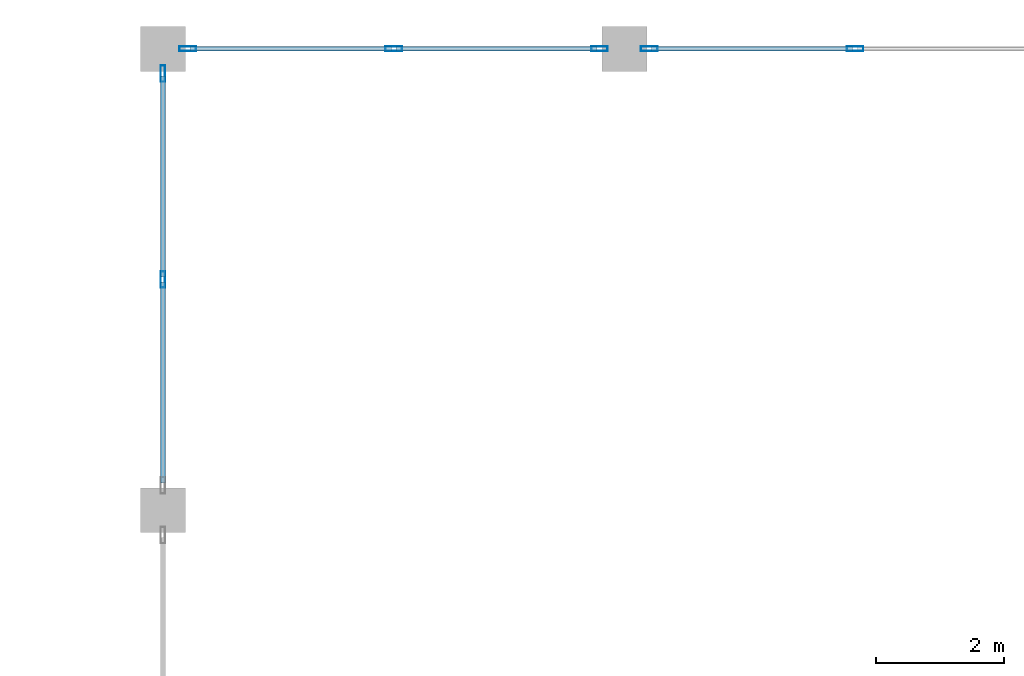
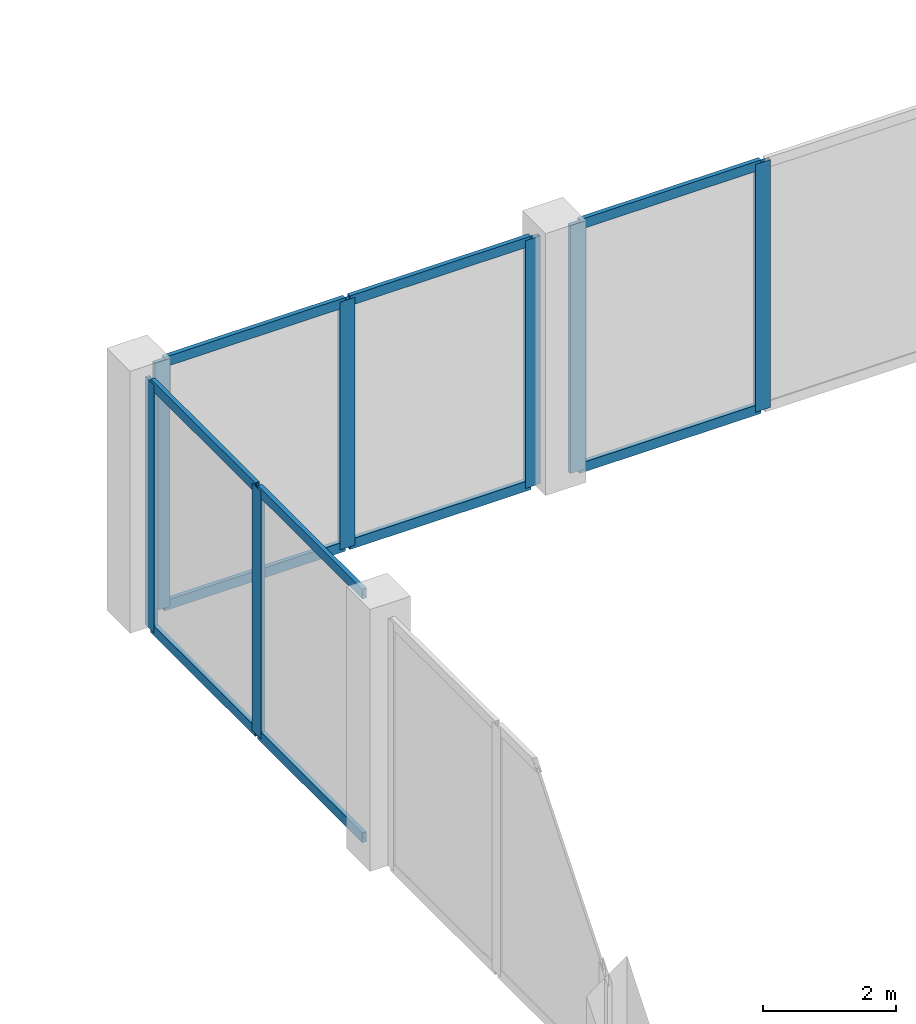
# One storey, part 40 of 99: 17 members, 3 elements without a shape of their own.
"""IFC4 building model written with IfcOpenShell, lengths in metres."""

import ifcopenshell
import ifcopenshell.guid

model = None  # the IFC model being written
_history = None  # IfcOwnerHistory: only IFC2X3 demands one
_inside = {}  # id of a spatial element -> (the spatial element, [elements in it])
_under = {}  # id of a project, library or spatial element -> (it, [spatial elements below it])
_declared = {}  # id of a project -> (the project, [libraries it declares])
_typed = {}  # id of a type object -> (the type object, [elements of that type])
_made_of = {}  # id of a material, layer set ... -> (it, [elements and type objects made of it])


def new_model(schema):
    """Start an empty IFC model of exactly this schema.

    Asked for "IFC4X3", IfcOpenShell would pick the latest addendum, in which some entities
    have other attributes; the version numbers below select the first issue.
    IFC2X3 requires an IfcOwnerHistory on every rooted entity: one is made here for all.
    """
    global model, _history
    if schema == "IFC4X3":
        model = ifcopenshell.file(schema_version=(4, 3, 0, 0))
    else:
        model = ifcopenshell.file(schema=schema)
    _inside.clear()
    _under.clear()
    _declared.clear()
    _typed.clear()
    _made_of.clear()
    _history = None
    if model.schema == "IFC2X3":
        org = make("IfcOrganization", Name="unknown")
        user = make(
            "IfcPersonAndOrganization",
            ThePerson=make("IfcPerson", FamilyName="unknown"),
            TheOrganization=org,
        )
        app = make(
            "IfcApplication",
            ApplicationDeveloper=org,
            Version="unknown",
            ApplicationFullName="unknown",
            ApplicationIdentifier="unknown",
        )
        _history = make(
            "IfcOwnerHistory",
            OwningUser=user,
            OwningApplication=app,
            ChangeAction="ADDED",
            CreationDate=0,
        )
    return model


def make(cls, **values):
    """One entity of the class cls with the attributes given. An attribute that is None is left unset."""
    return model.create_entity(
        cls, **{name: value for name, value in values.items() if value is not None}
    )


def rooted(cls, **values):
    """An entity with a GlobalId (a new one), such as an element, a storey or a relation."""
    return make(cls, GlobalId=ifcopenshell.guid.new(), OwnerHistory=_history, **values)


def si_unit(unit_type, name, prefix=None):
    """IfcSIUnit, for example si_unit("LENGTHUNIT", "METRE", prefix="MILLI")."""
    return make("IfcSIUnit", UnitType=unit_type, Prefix=prefix, Name=name)


def assignment(units):
    """IfcUnitAssignment: the units of a project."""
    return None if units is None else make("IfcUnitAssignment", Units=units)


def point(xyz):
    """IfcCartesianPoint."""
    return None if xyz is None else make("IfcCartesianPoint", Coordinates=xyz)


def direction(xyz):
    """IfcDirection."""
    return None if xyz is None else make("IfcDirection", DirectionRatios=xyz)


def frame(location, z_axis=None, x_axis=None):
    """IfcAxis2Placement3D, a coordinate frame: its origin and axes. An axis left out is left unset."""
    return make(
        "IfcAxis2Placement3D",
        Location=point(location),
        Axis=direction(z_axis),
        RefDirection=direction(x_axis),
    )


def frame_2d(location, x_axis=None):
    """IfcAxis2Placement2D, a coordinate frame in the plane: its origin and x axis."""
    return make(
        "IfcAxis2Placement2D", Location=point(location), RefDirection=direction(x_axis)
    )


def origin():
    """The frame at (0, 0, 0) with its axes left unset."""
    return frame((0.0, 0.0, 0.0))


def origin_2d():
    """The frame at (0, 0) in the plane with its x axis left unset."""
    return frame_2d((0.0, 0.0))


def place(relative_to, where):
    """IfcLocalPlacement: puts the frame where relative to a parent placement (None: the world)."""
    return make(
        "IfcLocalPlacement", PlacementRelTo=relative_to, RelativePlacement=where
    )


def context(
    kind, dimensions, precision=None, world=None, true_north=None, identifier=None
):
    """IfcGeometricRepresentationContext, for example the 3D "Model" context."""
    return make(
        "IfcGeometricRepresentationContext",
        ContextIdentifier=identifier,
        ContextType=kind,
        CoordinateSpaceDimension=dimensions,
        Precision=precision,
        WorldCoordinateSystem=world,
        TrueNorth=true_north,
    )


def subcontext(parent, identifier, kind, view, scale=None):
    """IfcGeometricRepresentationSubContext, for example "Body" below "Model"."""
    return make(
        "IfcGeometricRepresentationSubContext",
        ContextIdentifier=identifier,
        ContextType=kind,
        ParentContext=parent,
        TargetScale=scale,
        TargetView=view,
    )


def project(units=None, contexts=None):
    """IfcProject with its units and contexts."""
    return rooted(
        "IfcProject",
        Name="project",
        RepresentationContexts=contexts,
        UnitsInContext=assignment(units),
    )


def spatial(cls, under=None, at=None, **own):
    """A site, building, storey or space (cls), placed at a placement, below another one or the project."""
    s = rooted(cls, ObjectPlacement=at, **own)
    if under is not None:
        _under.setdefault(under.id(), (under, []))[1].append(s)
    return s


def profile(cls, at=None, kind="AREA", **sizes):
    """A parametric profile (cls). Its sizes go by their IFC names, for example OverallWidth=200.0."""
    return make(cls, ProfileType=kind, Position=at, **sizes)


def hollow_rectangle(**sizes):
    """IfcRectangleHollowProfileDef."""
    return profile("IfcRectangleHollowProfileDef", **sizes)


def extrude(swept, where, along, depth):
    """IfcExtrudedAreaSolid: the profile swept, set in the frame where, extruded along a direction by depth."""
    return make(
        "IfcExtrudedAreaSolid",
        SweptArea=swept,
        Position=where,
        ExtrudedDirection=direction(along),
        Depth=depth,
    )


def shape(context_of_items, identifier, shape_type, items):
    """IfcShapeRepresentation: the items that make up one representation, for example the "Body"."""
    return make(
        "IfcShapeRepresentation",
        ContextOfItems=context_of_items,
        RepresentationIdentifier=identifier,
        RepresentationType=shape_type,
        Items=items,
    )


def material(Name=None, Category=None):
    """IfcMaterial."""
    return make("IfcMaterial", Name=Name, Category=Category)


def material_profile(
    of_material, cross_section, Name=None, Category=None, Priority=None
):
    """IfcMaterialProfile: a cross section and its material."""
    return make(
        "IfcMaterialProfile",
        Name=Name,
        Material=of_material,
        Profile=cross_section,
        Priority=Priority,
        Category=Category,
    )


def profile_set(profiles, Name=None, composite=None):
    """IfcMaterialProfileSet."""
    return make(
        "IfcMaterialProfileSet",
        Name=Name,
        MaterialProfiles=profiles,
        CompositeProfile=composite,
    )


def made_of(thing, what):
    """Note that an element or type object is made of a material, layer set ...; save() writes the relation."""
    if what is not None:
        _made_of.setdefault(what.id(), (what, []))[1].append(thing)
    return thing


def type_object(cls, material=None, **own):
    """A type object (cls), such as IfcWallType, which elements share."""
    return made_of(rooted(cls, **own), material)


def element(
    cls,
    number,
    at=None,
    inside=None,
    cuts=None,
    type_object=None,
    material=None,
    context=None,
    identifier="Body",
    shape_type=None,
    held_by="IfcProductDefinitionShape",
    body=None,
    shapes=None,
    **own,
):
    """One element of the class cls, such as IfcWall. Its Tag is "e" and its number.

    at: its placement. inside: the storey or other place that contains it. cuts: it is an
    opening in that element (IfcRelVoidsElement). A single representation is given by context,
    identifier, shape_type and body (its items); several are given by shapes. held_by: the class
    of the entity that holds the representations. save() writes the other relations.
    """
    e = rooted(cls, Tag="e%d" % number, ObjectPlacement=at, **own)
    if body is not None:
        shapes = [shape(context, identifier, shape_type, body)]
    if shapes is not None:
        e.Representation = make(held_by, Representations=shapes)
    if inside is not None:
        _inside.setdefault(inside.id(), (inside, []))[1].append(e)
    if cuts is not None:
        rooted(
            "IfcRelVoidsElement", RelatingBuildingElement=cuts, RelatedOpeningElement=e
        )
    if type_object is not None:
        _typed.setdefault(type_object.id(), (type_object, []))[1].append(e)
    return made_of(e, material)


def aggregate(whole, parts):
    """IfcRelAggregates: a whole, such as a stair, and the parts it consists of."""
    return rooted("IfcRelAggregates", RelatingObject=whole, RelatedObjects=parts)


def save(model, path):
    """Write the relations noted so far, then the file.

    IfcRelAggregates (storeys below a building ...), IfcRelContainedInSpatialStructure (elements
    in a storey), IfcRelDefinesByType, IfcRelAssociatesMaterial and IfcRelDeclares: one each for
    every whole, place, type object, material and project.
    """
    for whole, parts in _under.values():
        aggregate(whole, parts)
    for where, things in _inside.values():
        rooted(
            "IfcRelContainedInSpatialStructure",
            RelatedElements=things,
            RelatingStructure=where,
        )
    for kind, things in _typed.values():
        rooted("IfcRelDefinesByType", RelatedObjects=things, RelatingType=kind)
    for what, things in _made_of.values():
        rooted("IfcRelAssociatesMaterial", RelatedObjects=things, RelatingMaterial=what)
    for by, libraries in _declared.values():
        rooted("IfcRelDeclares", RelatingContext=by, RelatedDefinitions=libraries)
    model.write(path)


model = new_model("IFC4")

# Units and contexts
model_context = context("Model", 3, precision=1e-05, world=origin(), true_north=direction((0.0, 1.0)))
body_context = subcontext(model_context, "Body", "Model", "MODEL_VIEW")
ifc_project = project(units=[si_unit("LENGTHUNIT", "METRE"), si_unit("AREAUNIT", "SQUARE_METRE"), si_unit("VOLUMEUNIT", "CUBIC_METRE"), si_unit("PLANEANGLEUNIT", "RADIAN"), si_unit("MASSUNIT", "GRAM", prefix="KILO")], contexts=[model_context])

# Site, building, storey
site_placement = place(None, origin())
site = spatial("IfcSite", under=ifc_project, at=site_placement, CompositionType="ELEMENT")
building_placement = place(site_placement, origin())
building = spatial("IfcBuilding", under=site, at=building_placement, Name="Vesperath Aquatics Centre", CompositionType="ELEMENT")
storey_placement = place(building_placement, frame((0.0, 0.0, 5.39990234375)))
storey = spatial("IfcBuildingStorey", under=building, at=storey_placement, Name="L01", CompositionType="ELEMENT", Elevation=5.39990234375)

# Curtain wall, members
ifc_material_1 = material(Name="Thermally broken anodised bronze aluminium curtain wall", Category="aluminium")
curtain_wall_type = type_object("IfcCurtainWallType", Name="CW-06", PredefinedType="NOTDEFINED", material=ifc_material_1)
curtain_wall_1_placement = place(storey_placement, origin())
curtain_wall_1 = element("IfcCurtainWall", 1, at=curtain_wall_1_placement, inside=storey, type_object=curtain_wall_type, Name="Facade Curtain Wall CW06 L01_N_16_16", PredefinedType="NOTDEFINED")
ifc_material_2 = material(Name="Thermally broken anodised aluminium", Category="aluminium")
ifc_material_profile_1 = material_profile(ifc_material_2, hollow_rectangle(XDim=0.074951171875, YDim=0.260009765625, WallThickness=0.006103515625, at=origin_2d()), Name="CWM 75x260x6")
ifc_profile_set_1 = profile_set([ifc_material_profile_1], Name="Thermally broken anodised aluminium")
member_type_1 = type_object("IfcMemberType", Name="MB-CWM1", PredefinedType="MULLION", material=ifc_profile_set_1)
member_1_placement = place(storey_placement, frame((115.58740234375, 115.199951171875, 0.0), z_axis=(0.0, 0.0, 1.0), x_axis=(0.0, 1.0, 0.0)))
member_1 = element("IfcMember", 2, at=member_1_placement, type_object=member_type_1, Name="CW06 mullion 1", PredefinedType="MULLION", context=body_context, shape_type="SweptSolid", body=[
    extrude(hollow_rectangle(XDim=0.074951171875, YDim=0.260009765625, WallThickness=0.006103515625, at=origin_2d()), origin(), (0.0, 0.0, 1.0), 4.5400390625),
])
member_2_placement = place(storey_placement, frame((118.800048828125, 115.199951171875, 0.0), z_axis=(0.0, 0.0, 1.0), x_axis=(0.0, 1.0, 0.0)))
member_2 = element("IfcMember", 3, at=member_2_placement, type_object=member_type_1, Name="CW06 mullion 2", PredefinedType="MULLION", context=body_context, shape_type="SweptSolid", body=[
    extrude(hollow_rectangle(XDim=0.074951171875, YDim=0.260009765625, WallThickness=0.006103515625, at=origin_2d()), origin(), (0.0, 0.0, 1.0), 4.5400390625),
])
member_3_placement = place(storey_placement, frame((122.012451171875, 115.199951171875, 0.0), z_axis=(0.0, 0.0, 1.0), x_axis=(0.0, 1.0, 0.0)))
member_3 = element("IfcMember", 4, at=member_3_placement, type_object=member_type_1, Name="CW06 mullion 3", PredefinedType="MULLION", context=body_context, shape_type="SweptSolid", body=[
    extrude(hollow_rectangle(XDim=0.074951171875, YDim=0.260009765625, WallThickness=0.006103515625, at=origin_2d()), origin(), (0.0, 0.0, 1.0), 4.5400390625),
])

curtain_wall_2_placement = place(storey_placement, origin())
curtain_wall_2 = element("IfcCurtainWall", 5, at=curtain_wall_2_placement, inside=storey, type_object=curtain_wall_type, Name="Facade Curtain Wall CW06 L01_N_17_16", PredefinedType="NOTDEFINED")
member_4_placement = place(storey_placement, frame((122.78759765625, 115.199951171875, 0.0), z_axis=(0.0, 0.0, 1.0), x_axis=(0.0, 1.0, 0.0)))
member_4 = element("IfcMember", 6, at=member_4_placement, type_object=member_type_1, Name="CW06 mullion 1", PredefinedType="MULLION", context=body_context, shape_type="SweptSolid", body=[
    extrude(hollow_rectangle(XDim=0.074951171875, YDim=0.260009765625, WallThickness=0.006103515625, at=origin_2d()), origin(), (0.0, 0.0, 1.0), 4.5400390625),
])
member_5_placement = place(storey_placement, frame((126.0, 115.199951171875, 0.0), z_axis=(0.0, 0.0, 1.0), x_axis=(0.0, 1.0, 0.0)))
member_5 = element("IfcMember", 7, at=member_5_placement, type_object=member_type_1, Name="CW06 mullion 2", PredefinedType="MULLION", context=body_context, shape_type="SweptSolid", body=[
    extrude(hollow_rectangle(XDim=0.074951171875, YDim=0.260009765625, WallThickness=0.006103515625, at=origin_2d()), origin(), (0.0, 0.0, 1.0), 4.5400390625),
])

curtain_wall_3_placement = place(storey_placement, origin())
curtain_wall_3 = element("IfcCurtainWall", 8, at=curtain_wall_3_placement, inside=storey, type_object=curtain_wall_type, Name="Facade Curtain Wall CW06 L01_W_16_15", PredefinedType="NOTDEFINED")
member_6_placement = place(storey_placement, frame((115.199951171875, 111.60009765625, 0.0), z_axis=(0.0, 0.0, 1.0), x_axis=(-1.0, 0.0, 0.0)))
member_6 = element("IfcMember", 9, at=member_6_placement, type_object=member_type_1, Name="CW06 mullion 2", PredefinedType="MULLION", context=body_context, shape_type="SweptSolid", body=[
    extrude(hollow_rectangle(XDim=0.074951171875, YDim=0.260009765625, WallThickness=0.006103515625, at=origin_2d()), origin(), (0.0, 0.0, 1.0), 4.5400390625),
])
member_7_placement = place(storey_placement, frame((115.199951171875, 114.8125, 0.0), z_axis=(0.0, 0.0, 1.0), x_axis=(-1.0, 0.0, 0.0)))
member_7 = element("IfcMember", 10, at=member_7_placement, type_object=member_type_1, Name="CW06 mullion 3", PredefinedType="MULLION", context=body_context, shape_type="SweptSolid", body=[
    extrude(hollow_rectangle(XDim=0.074951171875, YDim=0.260009765625, WallThickness=0.006103515625, at=origin_2d()), origin(), (0.0, 0.0, 1.0), 4.5400390625),
])

# Member
ifc_material_profile_2 = material_profile(ifc_material_2, hollow_rectangle(XDim=0.074951171875, YDim=0.179931640625, WallThickness=0.0048828125, at=origin_2d()), Name="CWT 75x180x5")
ifc_profile_set_2 = profile_set([ifc_material_profile_2], Name="Thermally broken anodised aluminium")
member_type_2 = type_object("IfcMemberType", Name="MB-CWT1", PredefinedType="USERDEFINED", material=ifc_profile_set_2)
member_8_placement = place(storey_placement, frame((115.625, 115.199951171875, 0.03759765625), z_axis=(1.0, 0.0, 0.0), x_axis=(0.0, 1.0, 0.0)))
member_8 = element("IfcMember", 11, at=member_8_placement, type_object=member_type_2, Name="CW06 transom 1.1", ObjectType="TRANSOM", PredefinedType="USERDEFINED", context=body_context, shape_type="SweptSolid", body=[
    extrude(hollow_rectangle(XDim=0.074951171875, YDim=0.179931640625, WallThickness=0.0048828125, at=origin_2d()), origin(), (0.0, 0.0, 1.0), 3.137451171875),
])

member_9_placement = place(storey_placement, frame((115.625, 115.199951171875, 4.502685546875), z_axis=(1.0, 0.0, 0.0), x_axis=(0.0, 1.0, 0.0)))
member_9 = element("IfcMember", 12, at=member_9_placement, type_object=member_type_2, Name="CW06 transom 1.2", ObjectType="TRANSOM", PredefinedType="USERDEFINED", context=body_context, shape_type="SweptSolid", body=[
    extrude(hollow_rectangle(XDim=0.074951171875, YDim=0.179931640625, WallThickness=0.0048828125, at=origin_2d()), origin(), (0.0, 0.0, 1.0), 3.137451171875),
])

member_10_placement = place(storey_placement, frame((118.83740234375, 115.199951171875, 0.03759765625), z_axis=(1.0, 0.0, 0.0), x_axis=(0.0, 1.0, 0.0)))
member_10 = element("IfcMember", 13, at=member_10_placement, type_object=member_type_2, Name="CW06 transom 2.1", ObjectType="TRANSOM", PredefinedType="USERDEFINED", context=body_context, shape_type="SweptSolid", body=[
    extrude(hollow_rectangle(XDim=0.074951171875, YDim=0.179931640625, WallThickness=0.0048828125, at=origin_2d()), origin(), (0.0, 0.0, 1.0), 3.1376953125),
])

member_11_placement = place(storey_placement, frame((118.83740234375, 115.199951171875, 4.502685546875), z_axis=(1.0, 0.0, 0.0), x_axis=(0.0, 1.0, 0.0)))
member_11 = element("IfcMember", 14, at=member_11_placement, type_object=member_type_2, Name="CW06 transom 2.2", ObjectType="TRANSOM", PredefinedType="USERDEFINED", context=body_context, shape_type="SweptSolid", body=[
    extrude(hollow_rectangle(XDim=0.074951171875, YDim=0.179931640625, WallThickness=0.0048828125, at=origin_2d()), origin(), (0.0, 0.0, 1.0), 3.1376953125),
])

aggregate(curtain_wall_1, [member_1, member_2, member_3, member_8, member_9, member_10, member_11])

member_12_placement = place(storey_placement, frame((122.824951171875, 115.199951171875, 0.03759765625), z_axis=(1.0, 0.0, 0.0), x_axis=(0.0, 1.0, 0.0)))
member_12 = element("IfcMember", 15, at=member_12_placement, type_object=member_type_2, Name="CW06 transom 1.1", ObjectType="TRANSOM", PredefinedType="USERDEFINED", context=body_context, shape_type="SweptSolid", body=[
    extrude(hollow_rectangle(XDim=0.074951171875, YDim=0.179931640625, WallThickness=0.0048828125, at=origin_2d()), origin(), (0.0, 0.0, 1.0), 3.137451171875),
])

member_13_placement = place(storey_placement, frame((122.824951171875, 115.199951171875, 4.502685546875), z_axis=(1.0, 0.0, 0.0), x_axis=(0.0, 1.0, 0.0)))
member_13 = element("IfcMember", 16, at=member_13_placement, type_object=member_type_2, Name="CW06 transom 1.2", ObjectType="TRANSOM", PredefinedType="USERDEFINED", context=body_context, shape_type="SweptSolid", body=[
    extrude(hollow_rectangle(XDim=0.074951171875, YDim=0.179931640625, WallThickness=0.0048828125, at=origin_2d()), origin(), (0.0, 0.0, 1.0), 3.137451171875),
])

aggregate(curtain_wall_2, [member_4, member_5, member_12, member_13])

member_14_placement = place(storey_placement, frame((115.199951171875, 108.425048828125, 0.03759765625), z_axis=(0.0, 1.0, 0.0), x_axis=(-1.0, 0.0, 0.0)))
member_14 = element("IfcMember", 17, at=member_14_placement, type_object=member_type_2, Name="CW06 transom 1.1", ObjectType="TRANSOM", PredefinedType="USERDEFINED", context=body_context, shape_type="SweptSolid", body=[
    extrude(hollow_rectangle(XDim=0.074951171875, YDim=0.179931640625, WallThickness=0.0048828125, at=origin_2d()), origin(), (0.0, 0.0, 1.0), 3.137451171875),
])

member_15_placement = place(storey_placement, frame((115.199951171875, 108.425048828125, 4.502685546875), z_axis=(0.0, 1.0, 0.0), x_axis=(-1.0, 0.0, 0.0)))
member_15 = element("IfcMember", 18, at=member_15_placement, type_object=member_type_2, Name="CW06 transom 1.2", ObjectType="TRANSOM", PredefinedType="USERDEFINED", context=body_context, shape_type="SweptSolid", body=[
    extrude(hollow_rectangle(XDim=0.074951171875, YDim=0.179931640625, WallThickness=0.0048828125, at=origin_2d()), origin(), (0.0, 0.0, 1.0), 3.137451171875),
])

member_16_placement = place(storey_placement, frame((115.199951171875, 111.637451171875, 0.03759765625), z_axis=(0.0, 1.0, 0.0), x_axis=(-1.0, 0.0, 0.0)))
member_16 = element("IfcMember", 19, at=member_16_placement, type_object=member_type_2, Name="CW06 transom 2.1", ObjectType="TRANSOM", PredefinedType="USERDEFINED", context=body_context, shape_type="SweptSolid", body=[
    extrude(hollow_rectangle(XDim=0.074951171875, YDim=0.179931640625, WallThickness=0.0048828125, at=origin_2d()), origin(), (0.0, 0.0, 1.0), 3.137451171875),
])

member_17_placement = place(storey_placement, frame((115.199951171875, 111.637451171875, 4.502685546875), z_axis=(0.0, 1.0, 0.0), x_axis=(-1.0, 0.0, 0.0)))
member_17 = element("IfcMember", 20, at=member_17_placement, type_object=member_type_2, Name="CW06 transom 2.2", ObjectType="TRANSOM", PredefinedType="USERDEFINED", context=body_context, shape_type="SweptSolid", body=[
    extrude(hollow_rectangle(XDim=0.074951171875, YDim=0.179931640625, WallThickness=0.0048828125, at=origin_2d()), origin(), (0.0, 0.0, 1.0), 3.137451171875),
])

aggregate(curtain_wall_3, [member_6, member_7, member_14, member_15, member_16, member_17])

save(model, "model.ifc")
